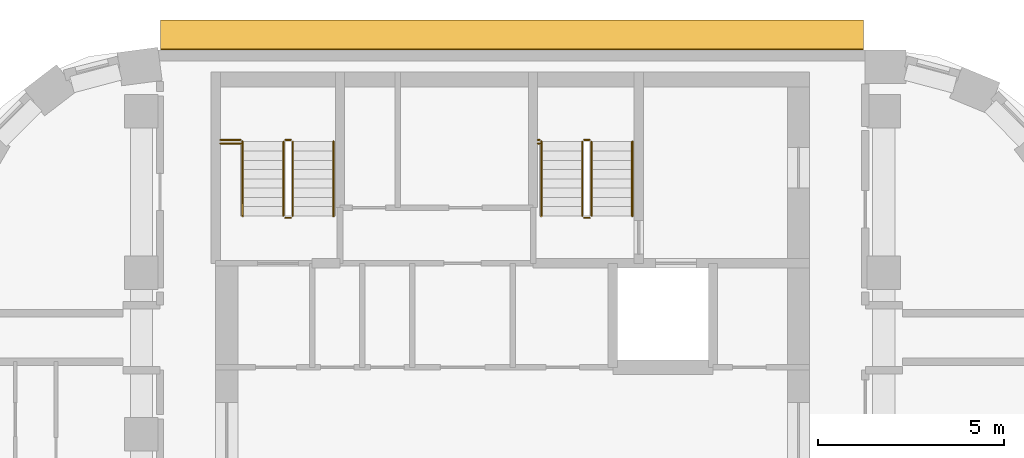
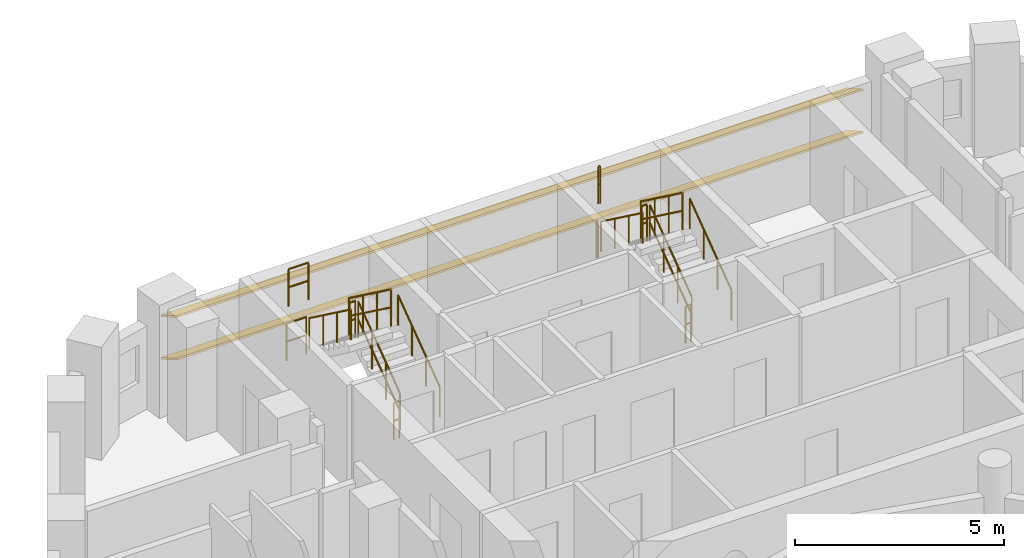
# One storey, part 14 of 14: 16 railings, 2 shading devices.
"""IFC4 building model written with IfcOpenShell, lengths in metres."""

from ifc_helpers import new_model, si_unit, direction, frame, origin, origin_2d, place, context, subcontext, project, spatial, rectangle, circle, extrude, material, material_profile, profile_set, type_object, element, save


model = new_model("IFC4")

# Units and contexts
model_context = context("Model", 3, precision=1e-05, world=origin(), true_north=direction((0.0, 1.0)))
body_context = subcontext(model_context, "Body", "Model", "MODEL_VIEW")
ifc_project = project(units=[si_unit("LENGTHUNIT", "METRE"), si_unit("AREAUNIT", "SQUARE_METRE"), si_unit("VOLUMEUNIT", "CUBIC_METRE"), si_unit("PLANEANGLEUNIT", "RADIAN"), si_unit("MASSUNIT", "GRAM", prefix="KILO")], contexts=[model_context])

# Site, building, storey
site_placement = place(None, origin())
site = spatial("IfcSite", under=ifc_project, at=site_placement, CompositionType="ELEMENT")
building_placement = place(site_placement, origin())
building = spatial("IfcBuilding", under=site, at=building_placement, Name="Nakaniwa Court", CompositionType="ELEMENT")
storey_placement = place(building_placement, frame((0.0, 0.0, 259.199951171875)))
storey = spatial("IfcBuildingStorey", under=building, at=storey_placement, Name="L68", CompositionType="ELEMENT", Elevation=259.199951171875)

# Shading devices
ifc_material_1 = material(Name="Perforated charcoal ceramic louvre blade")
ifc_material_profile = material_profile(ifc_material_1, rectangle(XDim=0.89990234375, YDim=0.050048828125, at=origin_2d()), Name="Perforated ceramic louvre blade")
ifc_profile_set = profile_set([ifc_material_profile], Name="Perforated charcoal ceramic louvre blade")
shading_device_type = type_object("IfcShadingDeviceType", Name="Perforated ceramic louvre blade", PredefinedType="JALOUSIE", material=ifc_profile_set)
for number, where, z_axis, x_axis, name in (
    (1, (89.44921875, 103.05224609375, 0.550048828125), (-1.0, 0.0, 0.0), (0.0, -0.866025403784, 0.5), "L68 perforated ceramic louvre blade w08 1"),
    (2, (89.44921875, 103.05224609375, 1.79345703125), (-1.0, 0.0, 0.0), (0.0, -0.866025403784, 0.5), "L68 perforated ceramic louvre blade w08 2"),
):
    element("IfcShadingDevice", number, at=place(storey_placement, frame(where, z_axis=z_axis, x_axis=x_axis)), inside=storey, type_object=shading_device_type, Name=name, PredefinedType="JALOUSIE", context=body_context, shape_type="SweptSolid", body=[
        extrude(rectangle(XDim=0.89990234375, YDim=0.050048828125, at=origin_2d()), origin(), (0.0, 0.0, 1.0), 18.933349609375),
    ])

# Railings
ifc_material_2 = material(Name="Black powder coated steel guard", Category="steel")
railing_type_1 = type_object("IfcRailingType", Name="Stair guard 1100", PredefinedType="GUARDRAIL", material=ifc_material_2)
railing_1_placement = place(storey_placement, frame((74.074951171875, 98.175048828125, 0.183349609375)))
element("IfcRailing", 3, at=railing_1_placement, inside=storey, type_object=railing_type_1, Name="L68 ST1 stair guard 1", PredefinedType="GUARDRAIL", context=body_context, shape_type="SweptSolid", body=[
    extrude(circle(Radius=0.02392578125, at=origin_2d()), frame((0.0, 0.0, 1.076171875), z_axis=(0.0, 0.806379959628, 0.591397802423), x_axis=(-1.0, 0.0, 0.0)), (0.0, 0.0, 1.0), 2.480224609375),
    extrude(circle(Radius=0.02392578125, at=origin_2d()), frame((0.0, 0.0, 0.550048828125), z_axis=(0.0, 0.806379959628, 0.591397802423), x_axis=(-1.0, 0.0, 0.0)), (0.0, 0.0, 1.0), 2.480224609375),
    extrude(circle(Radius=0.02099609375, at=origin_2d()), origin(), (0.0, 0.0, 1.0), 1.052001953125),
    extrude(circle(Radius=0.02099609375, at=origin_2d()), frame((0.0, 0.666748046875, 0.489013671875)), (0.0, 0.0, 1.0), 1.052001953125),
    extrude(circle(Radius=0.02099609375, at=origin_2d()), frame((0.0, 1.333251953125, 0.977783203125)), (0.0, 0.0, 1.0), 1.052001953125),
    extrude(circle(Radius=0.02099609375, at=origin_2d()), frame((0.0, 2.0, 1.466796875)), (0.0, 0.0, 1.0), 1.052001953125),
])
railing_2_placement = place(storey_placement, frame((74.02490234375, 100.22509765625, 1.650146484375)))
element("IfcRailing", 4, at=railing_2_placement, inside=storey, type_object=railing_type_1, Name="L68 ST1 stair guard 2", PredefinedType="GUARDRAIL", context=body_context, shape_type="SweptSolid", body=[
    extrude(circle(Radius=0.02392578125, at=origin_2d()), frame((0.0, 0.0, 1.076171875), z_axis=(-1.0, 0.0, 0.0), x_axis=(0.0, -1.0, 0.0)), (0.0, 0.0, 1.0), 0.14990234375),
    extrude(circle(Radius=0.02392578125, at=origin_2d()), frame((0.0, 0.0, 0.550048828125), z_axis=(-1.0, 0.0, 0.0), x_axis=(0.0, -1.0, 0.0)), (0.0, 0.0, 1.0), 0.14990234375),
    extrude(circle(Radius=0.02099609375, at=origin_2d()), origin(), (0.0, 0.0, 1.0), 1.052001953125),
    extrude(circle(Radius=0.02099609375, at=origin_2d()), frame((-0.14990234375, 0.0, 0.0)), (0.0, 0.0, 1.0), 1.052001953125),
])
railing_3_placement = place(storey_placement, frame((73.824951171875, 100.175048828125, 1.83349609375)))
element("IfcRailing", 5, at=railing_3_placement, inside=storey, type_object=railing_type_1, Name="L68 ST1 stair guard 3", PredefinedType="GUARDRAIL", context=body_context, shape_type="SweptSolid", body=[
    extrude(circle(Radius=0.02392578125, at=origin_2d()), frame((0.0, 0.0, 1.076171875), z_axis=(0.0, -0.806426902644, 0.591333789573), x_axis=(1.0, 0.0, 0.0)), (0.0, 0.0, 1.0), 2.47998046875),
    extrude(circle(Radius=0.02392578125, at=origin_2d()), frame((0.0, 0.0, 0.550048828125), z_axis=(0.0, -0.806426902644, 0.591333789573), x_axis=(1.0, 0.0, 0.0)), (0.0, 0.0, 1.0), 2.47998046875),
    extrude(circle(Radius=0.02099609375, at=origin_2d()), origin(), (0.0, 0.0, 1.0), 1.052001953125),
    extrude(circle(Radius=0.02099609375, at=origin_2d()), frame((0.0, -0.666748046875, 0.48876953125)), (0.0, 0.0, 1.0), 1.052001953125),
    extrude(circle(Radius=0.02099609375, at=origin_2d()), frame((0.0, -1.333251953125, 0.977783203125)), (0.0, 0.0, 1.0), 1.052001953125),
    extrude(circle(Radius=0.02099609375, at=origin_2d()), frame((0.0, -2.0, 1.466552734375)), (0.0, 0.0, 1.0), 1.052001953125),
])
railing_4_placement = place(storey_placement, frame((74.02490234375, 98.125, 0.0)))
element("IfcRailing", 6, at=railing_4_placement, inside=storey, type_object=railing_type_1, Name="L68 ST1 stair guard 4", PredefinedType="GUARDRAIL", context=body_context, shape_type="SweptSolid", body=[
    extrude(circle(Radius=0.02392578125, at=origin_2d()), frame((0.0, 0.0, 1.076171875), z_axis=(-1.0, 0.0, 0.0), x_axis=(0.0, -1.0, 0.0)), (0.0, 0.0, 1.0), 0.14990234375),
    extrude(circle(Radius=0.02392578125, at=origin_2d()), frame((0.0, 0.0, 0.550048828125), z_axis=(-1.0, 0.0, 0.0), x_axis=(0.0, -1.0, 0.0)), (0.0, 0.0, 1.0), 0.14990234375),
    extrude(circle(Radius=0.02099609375, at=origin_2d()), origin(), (0.0, 0.0, 1.0), 1.052001953125),
    extrude(circle(Radius=0.02099609375, at=origin_2d()), frame((-0.14990234375, 0.0, 0.0)), (0.0, 0.0, 1.0), 1.052001953125),
])
for number, where, name in (
    (7, (72.125, 100.22509765625, 1.650146484375), "L68 ST1 landing side guard 1W"),
    (8, (72.125, 100.125, 3.300048828125), "L68 ST1 floor edge guard 1W"),
):
    element("IfcRailing", number, at=place(storey_placement, frame(where)), inside=storey, type_object=railing_type_1, Name=name, PredefinedType="GUARDRAIL", context=body_context, shape_type="SweptSolid", body=[
        extrude(circle(Radius=0.02392578125, at=origin_2d()), frame((0.0, 0.0, 1.076171875), z_axis=(1.0, 0.0, 0.0), x_axis=(0.0, 1.0, 0.0)), (0.0, 0.0, 1.0), 0.550048828125),
        extrude(circle(Radius=0.02392578125, at=origin_2d()), frame((0.0, 0.0, 0.550048828125), z_axis=(1.0, 0.0, 0.0), x_axis=(0.0, 1.0, 0.0)), (0.0, 0.0, 1.0), 0.550048828125),
        extrude(circle(Radius=0.02099609375, at=origin_2d()), origin(), (0.0, 0.0, 1.0), 1.052001953125),
        extrude(circle(Radius=0.02099609375, at=origin_2d()), frame((0.550048828125, 0.0, 0.0)), (0.0, 0.0, 1.0), 1.052001953125),
    ])
railing_5_placement = place(storey_placement, frame((82.125, 98.175048828125, 0.183349609375)))
element("IfcRailing", 9, at=railing_5_placement, inside=storey, type_object=railing_type_1, Name="L68 ST2 stair guard 1", PredefinedType="GUARDRAIL", context=body_context, shape_type="SweptSolid", body=[
    extrude(circle(Radius=0.02392578125, at=origin_2d()), frame((0.0, 0.0, 1.076171875), z_axis=(0.0, 0.806379959628, 0.591397802423), x_axis=(-1.0, 0.0, 0.0)), (0.0, 0.0, 1.0), 2.480224609375),
    extrude(circle(Radius=0.02392578125, at=origin_2d()), frame((0.0, 0.0, 0.550048828125), z_axis=(0.0, 0.806379959628, 0.591397802423), x_axis=(-1.0, 0.0, 0.0)), (0.0, 0.0, 1.0), 2.480224609375),
    extrude(circle(Radius=0.02099609375, at=origin_2d()), origin(), (0.0, 0.0, 1.0), 1.052001953125),
    extrude(circle(Radius=0.02099609375, at=origin_2d()), frame((0.0, 0.666748046875, 0.489013671875)), (0.0, 0.0, 1.0), 1.052001953125),
    extrude(circle(Radius=0.02099609375, at=origin_2d()), frame((0.0, 1.333251953125, 0.977783203125)), (0.0, 0.0, 1.0), 1.052001953125),
    extrude(circle(Radius=0.02099609375, at=origin_2d()), frame((0.0, 2.0, 1.466796875)), (0.0, 0.0, 1.0), 1.052001953125),
])
railing_6_placement = place(storey_placement, frame((82.074951171875, 100.22509765625, 1.650146484375)))
element("IfcRailing", 10, at=railing_6_placement, inside=storey, type_object=railing_type_1, Name="L68 ST2 stair guard 2", PredefinedType="GUARDRAIL", context=body_context, shape_type="SweptSolid", body=[
    extrude(circle(Radius=0.02392578125, at=origin_2d()), frame((0.0, 0.0, 1.076171875), z_axis=(-1.0, 0.0, 0.0), x_axis=(0.0, -1.0, 0.0)), (0.0, 0.0, 1.0), 0.14990234375),
    extrude(circle(Radius=0.02392578125, at=origin_2d()), frame((0.0, 0.0, 0.550048828125), z_axis=(-1.0, 0.0, 0.0), x_axis=(0.0, -1.0, 0.0)), (0.0, 0.0, 1.0), 0.14990234375),
    extrude(circle(Radius=0.02099609375, at=origin_2d()), origin(), (0.0, 0.0, 1.0), 1.052001953125),
    extrude(circle(Radius=0.02099609375, at=origin_2d()), frame((-0.14990234375, 0.0, 0.0)), (0.0, 0.0, 1.0), 1.052001953125),
])
railing_7_placement = place(storey_placement, frame((81.875, 100.175048828125, 1.83349609375)))
element("IfcRailing", 11, at=railing_7_placement, inside=storey, type_object=railing_type_1, Name="L68 ST2 stair guard 3", PredefinedType="GUARDRAIL", context=body_context, shape_type="SweptSolid", body=[
    extrude(circle(Radius=0.02392578125, at=origin_2d()), frame((0.0, 0.0, 1.076171875), z_axis=(0.0, -0.806426902644, 0.591333789573), x_axis=(1.0, 0.0, 0.0)), (0.0, 0.0, 1.0), 2.47998046875),
    extrude(circle(Radius=0.02392578125, at=origin_2d()), frame((0.0, 0.0, 0.550048828125), z_axis=(0.0, -0.806426902644, 0.591333789573), x_axis=(1.0, 0.0, 0.0)), (0.0, 0.0, 1.0), 2.47998046875),
    extrude(circle(Radius=0.02099609375, at=origin_2d()), origin(), (0.0, 0.0, 1.0), 1.052001953125),
    extrude(circle(Radius=0.02099609375, at=origin_2d()), frame((0.0, -0.666748046875, 0.48876953125)), (0.0, 0.0, 1.0), 1.052001953125),
    extrude(circle(Radius=0.02099609375, at=origin_2d()), frame((0.0, -1.333251953125, 0.977783203125)), (0.0, 0.0, 1.0), 1.052001953125),
    extrude(circle(Radius=0.02099609375, at=origin_2d()), frame((0.0, -2.0, 1.466552734375)), (0.0, 0.0, 1.0), 1.052001953125),
])
railing_8_placement = place(storey_placement, frame((82.074951171875, 98.125, 0.0)))
element("IfcRailing", 12, at=railing_8_placement, inside=storey, type_object=railing_type_1, Name="L68 ST2 stair guard 4", PredefinedType="GUARDRAIL", context=body_context, shape_type="SweptSolid", body=[
    extrude(circle(Radius=0.02392578125, at=origin_2d()), frame((0.0, 0.0, 1.076171875), z_axis=(-1.0, 0.0, 0.0), x_axis=(0.0, -1.0, 0.0)), (0.0, 0.0, 1.0), 0.14990234375),
    extrude(circle(Radius=0.02392578125, at=origin_2d()), frame((0.0, 0.0, 0.550048828125), z_axis=(-1.0, 0.0, 0.0), x_axis=(0.0, -1.0, 0.0)), (0.0, 0.0, 1.0), 0.14990234375),
    extrude(circle(Radius=0.02099609375, at=origin_2d()), origin(), (0.0, 0.0, 1.0), 1.052001953125),
    extrude(circle(Radius=0.02099609375, at=origin_2d()), frame((-0.14990234375, 0.0, 0.0)), (0.0, 0.0, 1.0), 1.052001953125),
])
for number, where, name in (
    (13, (80.675048828125, 100.22509765625, 1.650146484375), "L68 ST2 landing side guard 1W"),
    (14, (80.675048828125, 100.125, 3.300048828125), "L68 ST2 floor edge guard 1W"),
):
    element("IfcRailing", number, at=place(storey_placement, frame(where)), inside=storey, type_object=railing_type_1, Name=name, PredefinedType="GUARDRAIL", context=body_context, shape_type="SweptSolid", body=[
        extrude(circle(Radius=0.02392578125, at=origin_2d()), frame((0.0, 0.0, 1.076171875), z_axis=(1.0, 0.0, 0.0), x_axis=(0.0, 1.0, 0.0)), (0.0, 0.0, 1.0), 0.050048828125),
        extrude(circle(Radius=0.02392578125, at=origin_2d()), frame((0.0, 0.0, 0.550048828125), z_axis=(1.0, 0.0, 0.0), x_axis=(0.0, 1.0, 0.0)), (0.0, 0.0, 1.0), 0.050048828125),
        extrude(circle(Radius=0.02099609375, at=origin_2d()), origin(), (0.0, 0.0, 1.0), 1.052001953125),
        extrude(circle(Radius=0.02099609375, at=origin_2d()), frame((0.050048828125, 0.0, 0.0)), (0.0, 0.0, 1.0), 1.052001953125),
    ])
ifc_material_3 = material(Name="Black powder coated steel handrail", Category="steel")
railing_type_2 = type_object("IfcRailingType", Name="Stair handrail 900", PredefinedType="HANDRAIL", material=ifc_material_3)
railing_9_placement = place(storey_placement, frame((75.175048828125, 98.175048828125, 0.183349609375)))
element("IfcRailing", 15, at=railing_9_placement, inside=storey, type_object=railing_type_2, Name="L68 ST1 stair handrail 1", PredefinedType="HANDRAIL", context=body_context, shape_type="SweptSolid", body=[
    extrude(circle(Radius=0.02392578125, at=origin_2d()), frame((0.0, 0.0, 0.8759765625), z_axis=(0.0, 0.806379959628, 0.591397802423), x_axis=(-1.0, 0.0, 0.0)), (0.0, 0.0, 1.0), 2.480224609375),
    extrude(circle(Radius=0.02099609375, at=origin_2d()), origin(), (0.0, 0.0, 1.0), 0.851806640625),
    extrude(circle(Radius=0.02099609375, at=origin_2d()), frame((0.0, 0.666748046875, 0.489013671875)), (0.0, 0.0, 1.0), 0.851806640625),
    extrude(circle(Radius=0.02099609375, at=origin_2d()), frame((0.0, 1.333251953125, 0.977783203125)), (0.0, 0.0, 1.0), 0.851806640625),
    extrude(circle(Radius=0.02099609375, at=origin_2d()), frame((0.0, 2.0, 1.466796875)), (0.0, 0.0, 1.0), 0.851806640625),
])
railing_10_placement = place(storey_placement, frame((72.72509765625, 100.175048828125, 1.83349609375)))
element("IfcRailing", 16, at=railing_10_placement, inside=storey, type_object=railing_type_2, Name="L68 ST1 stair handrail 2", PredefinedType="HANDRAIL", context=body_context, shape_type="SweptSolid", body=[
    extrude(circle(Radius=0.02392578125, at=origin_2d()), frame((0.0, 0.0, 0.8759765625), z_axis=(0.0, -0.806426902644, 0.591333789573), x_axis=(1.0, 0.0, 0.0)), (0.0, 0.0, 1.0), 2.47998046875),
    extrude(circle(Radius=0.02099609375, at=origin_2d()), origin(), (0.0, 0.0, 1.0), 0.851806640625),
    extrude(circle(Radius=0.02099609375, at=origin_2d()), frame((0.0, -0.666748046875, 0.48876953125)), (0.0, 0.0, 1.0), 0.851806640625),
    extrude(circle(Radius=0.02099609375, at=origin_2d()), frame((0.0, -1.333251953125, 0.977783203125)), (0.0, 0.0, 1.0), 0.851806640625),
    extrude(circle(Radius=0.02099609375, at=origin_2d()), frame((0.0, -2.0, 1.466552734375)), (0.0, 0.0, 1.0), 0.851806640625),
])
railing_11_placement = place(storey_placement, frame((83.22509765625, 98.175048828125, 0.183349609375)))
element("IfcRailing", 17, at=railing_11_placement, inside=storey, type_object=railing_type_2, Name="L68 ST2 stair handrail 1", PredefinedType="HANDRAIL", context=body_context, shape_type="SweptSolid", body=[
    extrude(circle(Radius=0.02392578125, at=origin_2d()), frame((0.0, 0.0, 0.8759765625), z_axis=(0.0, 0.806379959628, 0.591397802423), x_axis=(-1.0, 0.0, 0.0)), (0.0, 0.0, 1.0), 2.480224609375),
    extrude(circle(Radius=0.02099609375, at=origin_2d()), origin(), (0.0, 0.0, 1.0), 0.851806640625),
    extrude(circle(Radius=0.02099609375, at=origin_2d()), frame((0.0, 0.666748046875, 0.489013671875)), (0.0, 0.0, 1.0), 0.851806640625),
    extrude(circle(Radius=0.02099609375, at=origin_2d()), frame((0.0, 1.333251953125, 0.977783203125)), (0.0, 0.0, 1.0), 0.851806640625),
    extrude(circle(Radius=0.02099609375, at=origin_2d()), frame((0.0, 2.0, 1.466796875)), (0.0, 0.0, 1.0), 0.851806640625),
])
railing_12_placement = place(storey_placement, frame((80.77490234375, 100.175048828125, 1.83349609375)))
element("IfcRailing", 18, at=railing_12_placement, inside=storey, type_object=railing_type_2, Name="L68 ST2 stair handrail 2", PredefinedType="HANDRAIL", context=body_context, shape_type="SweptSolid", body=[
    extrude(circle(Radius=0.02392578125, at=origin_2d()), frame((0.0, 0.0, 0.8759765625), z_axis=(0.0, -0.806426902644, 0.591333789573), x_axis=(1.0, 0.0, 0.0)), (0.0, 0.0, 1.0), 2.47998046875),
    extrude(circle(Radius=0.02099609375, at=origin_2d()), origin(), (0.0, 0.0, 1.0), 0.851806640625),
    extrude(circle(Radius=0.02099609375, at=origin_2d()), frame((0.0, -0.666748046875, 0.48876953125)), (0.0, 0.0, 1.0), 0.851806640625),
    extrude(circle(Radius=0.02099609375, at=origin_2d()), frame((0.0, -1.333251953125, 0.977783203125)), (0.0, 0.0, 1.0), 0.851806640625),
    extrude(circle(Radius=0.02099609375, at=origin_2d()), frame((0.0, -2.0, 1.466552734375)), (0.0, 0.0, 1.0), 0.851806640625),
])

save(model, "model.ifc")
